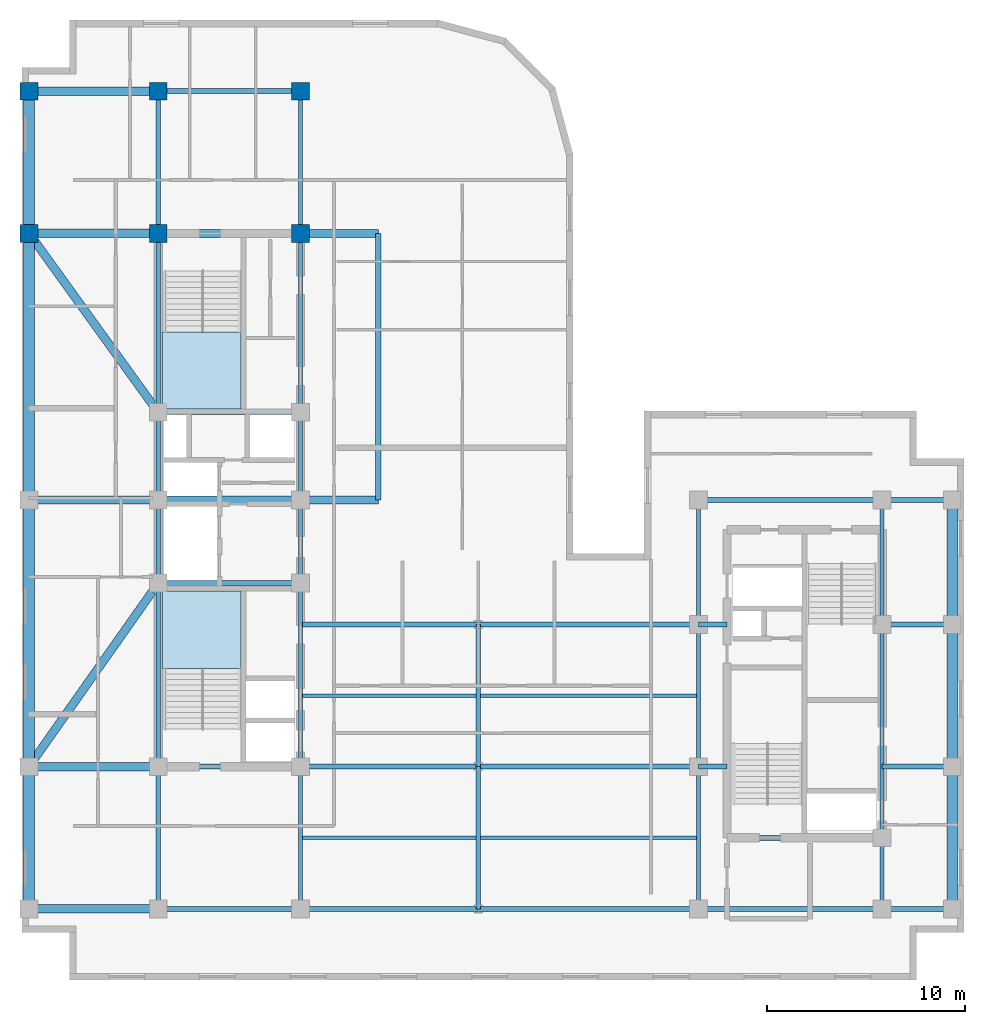
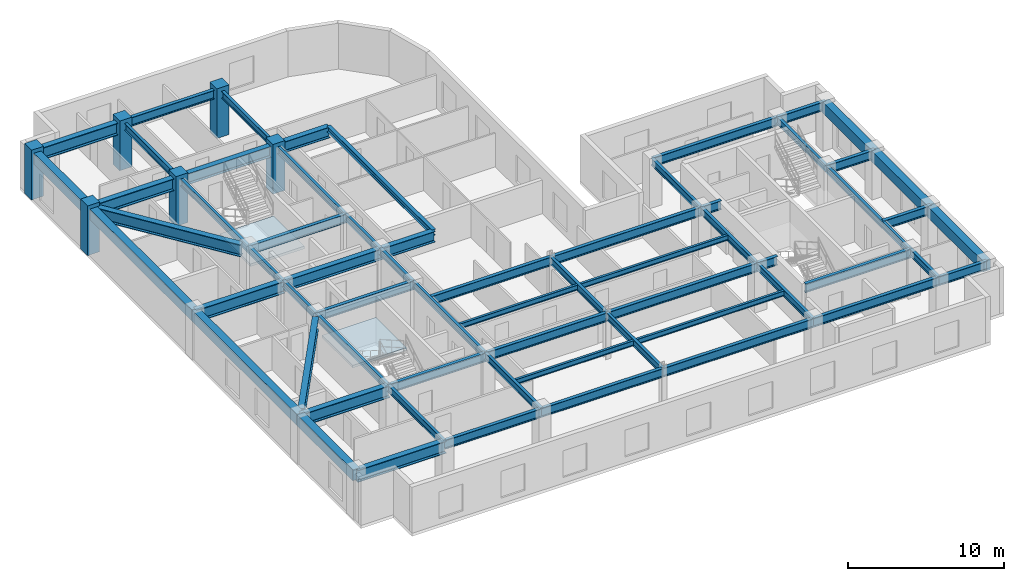
# One storey, part 2 of 10: 61 beams, 6 columns, 2 slabs, 2 elements without a shape of their own.
"""IFC4 building model written with IfcOpenShell, lengths in metres."""

from ifc_helpers import new_model, entity, si_unit, converted_unit, direction, frame, origin_with_axes, origin_2d_with_axis, place, context, subcontext, project, spatial, polyline, rectangle, i_section, outline, extrude, material, layer, layer_set, material_profile, profile_set, type_object, element, aggregate, save


model = new_model("IFC4")

# Units and contexts
model_context = context("Model", 3, precision=1e-05, world=origin_with_axes(), true_north=direction((0.0, 1.0)))
body_context = subcontext(model_context, "Body", "Model", "MODEL_VIEW")
ifc_project = project(units=[si_unit("LENGTHUNIT", "METRE"), si_unit("AREAUNIT", "SQUARE_METRE"), si_unit("VOLUMEUNIT", "CUBIC_METRE"), converted_unit("PLANEANGLEUNIT", "DEGREE", entity("IfcPlaneAngleMeasure", 0.017453292519943295), si_unit("PLANEANGLEUNIT", "RADIAN"), dimensions=[0, 0, 0, 0, 0, 0, 0]), si_unit("MASSUNIT", "GRAM", prefix="KILO"), si_unit("THERMODYNAMICTEMPERATUREUNIT", "KELVIN")], contexts=[model_context])

# Site, building, storey
site_placement = place(None, origin_with_axes())
site = spatial("IfcSite", under=ifc_project, at=site_placement, CompositionType="ELEMENT")
building_placement = place(site_placement, origin_with_axes())
building = spatial("IfcBuilding", under=site, at=building_placement, Name="Varnlund Millrace Tower", CompositionType="ELEMENT")
storey_placement = place(building_placement, frame((0.0, 0.0, 244.2), z_axis=(0.0, 0.0, 1.0), x_axis=(1.0, 0.0, 0.0)))
storey = spatial("IfcBuildingStorey", under=building, at=storey_placement, Name="L60", CompositionType="ELEMENT", Elevation=244.2)

# Columns
ifc_material_1 = material(Name="Concrete C70/85", Category="concrete")
ifc_material_profile_1 = material_profile(ifc_material_1, rectangle(XDim=0.9, YDim=0.9, at=origin_2d_with_axis()), Name="Concrete C70/85")
ifc_profile_set_1 = profile_set([ifc_material_profile_1], Name="Concrete C70/85")
column_type = type_object("IfcColumnType", Name="Type-Col-RC900-C70", PredefinedType="COLUMN", material=ifc_profile_set_1)
for number, where, z_axis, x_axis, name in (
    (1, (11.4, 37.8, 0.0), (0.0, 0.0, 1.0), (1.0, 0.0, 0.0), "Type-Col-RC900-C70"),
    (2, (11.4, 45.0, 0.0), (0.0, 0.0, 1.0), (1.0, 0.0, 0.0), "Type-Col-RC900-C70"),
    (3, (18.6, 37.8, 0.0), (0.0, 0.0, 1.0), (1.0, 0.0, 0.0), "Type-Col-RC900-C70"),
    (4, (18.6, 45.0, 0.0), (0.0, 0.0, 1.0), (1.0, 0.0, 0.0), "Type-Col-RC900-C70"),
    (5, (4.85, 37.8, 0.0), (0.0, 0.0, 1.0), (1.0, 0.0, 0.0), "Type-Col-RC900-C70"),
    (6, (4.85, 45.0, 0.0), (0.0, 0.0, 1.0), (1.0, 0.0, 0.0), "Type-Col-RC900-C70"),
):
    element("IfcColumn", number, at=place(storey_placement, frame(where, z_axis=z_axis, x_axis=x_axis)), inside=storey, type_object=column_type, Name=name, PredefinedType="COLUMN", context=body_context, shape_type="SweptSolid", body=[
        extrude(rectangle(XDim=0.9, YDim=0.9, at=origin_2d_with_axis()), origin_with_axes(), (0.0, 0.0, 1.0), 3.9),
    ])

# Beams
ifc_material_2 = material(Name="Steel ASTM A992 Grade 50", Category="steel")
ifc_material_profile_2 = material_profile(ifc_material_2, i_section(OverallWidth=0.28, OverallDepth=0.463, WebThickness=0.0108, FlangeThickness=0.0173, FilletRadius=0.015, at=origin_2d_with_axis()), Name="Steel ASTM A992 Grade 50")
ifc_profile_set_2 = profile_set([ifc_material_profile_2], Name="Steel ASTM A992 Grade 50")
beam_type_1 = type_object("IfcBeamType", Name="Type-Beam-W18X76", PredefinedType="BEAM", material=ifc_profile_set_2)
beam_1_placement = place(storey_placement, frame((22.55, 24.3, 3.3685), z_axis=(0.0, 1.0, 0.0), x_axis=(-1.0, 0.0, 0.0)))
element("IfcBeam", 7, at=beam_1_placement, inside=storey, type_object=beam_type_1, Name="Type-Beam-W18X76", PredefinedType="BEAM", context=body_context, shape_type="SweptSolid", body=[
    extrude(i_section(OverallWidth=0.28, OverallDepth=0.463, WebThickness=0.0108, FlangeThickness=0.0173, FilletRadius=0.015, at=origin_2d_with_axis()), origin_with_axes(), (0.0, 0.0, 1.0), 13.5),
])
ifc_material_profile_3 = material_profile(ifc_material_2, i_section(OverallWidth=0.214, OverallDepth=0.549, WebThickness=0.0147, FlangeThickness=0.0236, FilletRadius=0.015, at=origin_2d_with_axis()), Name="Steel ASTM A992 Grade 50")
ifc_profile_set_3 = profile_set([ifc_material_profile_3], Name="Steel ASTM A992 Grade 50")
beam_type_2 = type_object("IfcBeamType", Name="Type-Beam-W21X93", PredefinedType="BEAM", material=ifc_profile_set_3)
beam_2_placement = place(storey_placement, frame((11.4, 3.6, 3.3255), z_axis=(0.0, 1.0, 0.0), x_axis=(-1.0, 0.0, 0.0)))
element("IfcBeam", 8, at=beam_2_placement, inside=storey, type_object=beam_type_2, Name="Type-Beam-W21X93", PredefinedType="BEAM", context=body_context, shape_type="SweptSolid", body=[
    extrude(i_section(OverallWidth=0.214, OverallDepth=0.549, WebThickness=0.0147, FlangeThickness=0.0236, FilletRadius=0.015, at=origin_2d_with_axis()), origin_with_axes(), (0.0, 0.0, 1.0), 7.2),
])
beam_3_placement = place(storey_placement, frame((11.4, 10.8, 3.3255), z_axis=(0.0, 1.0, 0.0), x_axis=(-1.0, 0.0, 0.0)))
element("IfcBeam", 9, at=beam_3_placement, inside=storey, type_object=beam_type_2, Name="Type-Beam-W21X93", PredefinedType="BEAM", context=body_context, shape_type="SweptSolid", body=[
    extrude(i_section(OverallWidth=0.214, OverallDepth=0.549, WebThickness=0.0147, FlangeThickness=0.0236, FilletRadius=0.015, at=origin_2d_with_axis()), origin_with_axes(), (0.0, 0.0, 1.0), 9.3),
])
beam_4_placement = place(storey_placement, frame((11.4, 20.1, 3.3255), z_axis=(0.0, 1.0, 0.0), x_axis=(-1.0, 0.0, 0.0)))
element("IfcBeam", 10, at=beam_4_placement, inside=storey, type_object=beam_type_2, Name="Type-Beam-W21X93", PredefinedType="BEAM", context=body_context, shape_type="SweptSolid", body=[
    extrude(i_section(OverallWidth=0.214, OverallDepth=0.549, WebThickness=0.0147, FlangeThickness=0.0236, FilletRadius=0.015, at=origin_2d_with_axis()), origin_with_axes(), (0.0, 0.0, 1.0), 4.2),
])
beam_5_placement = place(storey_placement, frame((11.4, 24.3, 3.3255), z_axis=(0.0, 1.0, 0.0), x_axis=(-1.0, 0.0, 0.0)))
element("IfcBeam", 11, at=beam_5_placement, inside=storey, type_object=beam_type_2, Name="Type-Beam-W21X93", PredefinedType="BEAM", context=body_context, shape_type="SweptSolid", body=[
    extrude(i_section(OverallWidth=0.214, OverallDepth=0.549, WebThickness=0.0147, FlangeThickness=0.0236, FilletRadius=0.015, at=origin_2d_with_axis()), origin_with_axes(), (0.0, 0.0, 1.0), 4.45),
])
beam_6_placement = place(storey_placement, frame((11.4, 28.75, 3.3255), z_axis=(0.0, 1.0, 0.0), x_axis=(-1.0, 0.0, 0.0)))
element("IfcBeam", 12, at=beam_6_placement, inside=storey, type_object=beam_type_2, Name="Type-Beam-W21X93", PredefinedType="BEAM", context=body_context, shape_type="SweptSolid", body=[
    extrude(i_section(OverallWidth=0.214, OverallDepth=0.549, WebThickness=0.0147, FlangeThickness=0.0236, FilletRadius=0.015, at=origin_2d_with_axis()), origin_with_axes(), (0.0, 0.0, 1.0), 9.05),
])
for number, where, z_axis, x_axis, name in (
    (13, (11.4, 37.8, 3.3255), (0.0, 1.0, 0.0), (-1.0, 0.0, 0.0), "Type-Beam-W21X93"),
    (14, (18.6, 3.6, 3.3255), (0.0, 1.0, 0.0), (-1.0, 0.0, 0.0), "Type-Beam-W21X93"),
):
    element("IfcBeam", number, at=place(storey_placement, frame(where, z_axis=z_axis, x_axis=x_axis)), inside=storey, type_object=beam_type_2, Name=name, PredefinedType="BEAM", context=body_context, shape_type="SweptSolid", body=[
        extrude(i_section(OverallWidth=0.214, OverallDepth=0.549, WebThickness=0.0147, FlangeThickness=0.0236, FilletRadius=0.015, at=origin_2d_with_axis()), origin_with_axes(), (0.0, 0.0, 1.0), 7.2),
    ])
beam_7_placement = place(storey_placement, frame((18.6, 10.8, 3.3255), z_axis=(0.0, 1.0, 0.0), x_axis=(-1.0, 0.0, 0.0)))
element("IfcBeam", 15, at=beam_7_placement, inside=storey, type_object=beam_type_2, Name="Type-Beam-W21X93", PredefinedType="BEAM", context=body_context, shape_type="SweptSolid", body=[
    extrude(i_section(OverallWidth=0.214, OverallDepth=0.549, WebThickness=0.0147, FlangeThickness=0.0236, FilletRadius=0.015, at=origin_2d_with_axis()), origin_with_axes(), (0.0, 0.0, 1.0), 9.3),
])
beam_8_placement = place(storey_placement, frame((18.6, 20.1, 3.3255), z_axis=(0.0, 1.0, 0.0), x_axis=(-1.0, 0.0, 0.0)))
element("IfcBeam", 16, at=beam_8_placement, inside=storey, type_object=beam_type_2, Name="Type-Beam-W21X93", PredefinedType="BEAM", context=body_context, shape_type="SweptSolid", body=[
    extrude(i_section(OverallWidth=0.214, OverallDepth=0.549, WebThickness=0.0147, FlangeThickness=0.0236, FilletRadius=0.015, at=origin_2d_with_axis()), origin_with_axes(), (0.0, 0.0, 1.0), 4.2),
])
beam_9_placement = place(storey_placement, frame((18.6, 24.3, 3.3255), z_axis=(0.0, 1.0, 0.0), x_axis=(-1.0, 0.0, 0.0)))
element("IfcBeam", 17, at=beam_9_placement, inside=storey, type_object=beam_type_2, Name="Type-Beam-W21X93", PredefinedType="BEAM", context=body_context, shape_type="SweptSolid", body=[
    extrude(i_section(OverallWidth=0.214, OverallDepth=0.549, WebThickness=0.0147, FlangeThickness=0.0236, FilletRadius=0.015, at=origin_2d_with_axis()), origin_with_axes(), (0.0, 0.0, 1.0), 4.45),
])
beam_10_placement = place(storey_placement, frame((18.6, 28.75, 3.3255), z_axis=(0.0, 1.0, 0.0), x_axis=(-1.0, 0.0, 0.0)))
element("IfcBeam", 18, at=beam_10_placement, inside=storey, type_object=beam_type_2, Name="Type-Beam-W21X93", PredefinedType="BEAM", context=body_context, shape_type="SweptSolid", body=[
    extrude(i_section(OverallWidth=0.214, OverallDepth=0.549, WebThickness=0.0147, FlangeThickness=0.0236, FilletRadius=0.015, at=origin_2d_with_axis()), origin_with_axes(), (0.0, 0.0, 1.0), 9.05),
])
for number, where, z_axis, x_axis, name in (
    (19, (18.6, 37.8, 3.3255), (0.0, 1.0, 0.0), (-1.0, 0.0, 0.0), "Type-Beam-W21X93"),
    (20, (27.6, 3.6, 3.3255), (0.0, 1.0, 0.0), (-1.0, 0.0, 0.0), "Type-Beam-W21X93"),
    (21, (27.6, 10.8, 3.3255), (0.0, 1.0, 0.0), (-1.0, 0.0, 0.0), "Type-Beam-W21X93"),
    (22, (38.75, 3.6, 3.3255), (0.0, 1.0, 0.0), (-1.0, 0.0, 0.0), "Type-Beam-W21X93"),
    (23, (38.75, 10.8, 3.3255), (0.0, 1.0, 0.0), (-1.0, 0.0, 0.0), "Type-Beam-W21X93"),
):
    element("IfcBeam", number, at=place(storey_placement, frame(where, z_axis=z_axis, x_axis=x_axis)), inside=storey, type_object=beam_type_2, Name=name, PredefinedType="BEAM", context=body_context, shape_type="SweptSolid", body=[
        extrude(i_section(OverallWidth=0.214, OverallDepth=0.549, WebThickness=0.0147, FlangeThickness=0.0236, FilletRadius=0.015, at=origin_2d_with_axis()), origin_with_axes(), (0.0, 0.0, 1.0), 7.2),
    ])
beam_11_placement = place(storey_placement, frame((38.75, 18.0, 3.3255), z_axis=(0.0, 1.0, 0.0), x_axis=(-1.0, 0.0, 0.0)))
element("IfcBeam", 24, at=beam_11_placement, inside=storey, type_object=beam_type_2, Name="Type-Beam-W21X93", PredefinedType="BEAM", context=body_context, shape_type="SweptSolid", body=[
    extrude(i_section(OverallWidth=0.214, OverallDepth=0.549, WebThickness=0.0147, FlangeThickness=0.0236, FilletRadius=0.015, at=origin_2d_with_axis()), origin_with_axes(), (0.0, 0.0, 1.0), 6.3),
])
beam_12_placement = place(storey_placement, frame((48.05, 3.6, 3.3255), z_axis=(0.0, 1.0, 0.0), x_axis=(-1.0, 0.0, 0.0)))
element("IfcBeam", 25, at=beam_12_placement, inside=storey, type_object=beam_type_2, Name="Type-Beam-W21X93", PredefinedType="BEAM", context=body_context, shape_type="SweptSolid", body=[
    extrude(i_section(OverallWidth=0.214, OverallDepth=0.549, WebThickness=0.0147, FlangeThickness=0.0236, FilletRadius=0.015, at=origin_2d_with_axis()), origin_with_axes(), (0.0, 0.0, 1.0), 3.6),
])
beam_13_placement = place(storey_placement, frame((48.05, 7.2, 3.3255), z_axis=(0.0, 1.0, 0.0), x_axis=(-1.0, 0.0, 0.0)))
element("IfcBeam", 26, at=beam_13_placement, inside=storey, type_object=beam_type_2, Name="Type-Beam-W21X93", PredefinedType="BEAM", context=body_context, shape_type="SweptSolid", body=[
    extrude(i_section(OverallWidth=0.214, OverallDepth=0.549, WebThickness=0.0147, FlangeThickness=0.0236, FilletRadius=0.015, at=origin_2d_with_axis()), origin_with_axes(), (0.0, 0.0, 1.0), 10.8),
])
beam_14_placement = place(storey_placement, frame((48.05, 18.0, 3.3255), z_axis=(0.0, 1.0, 0.0), x_axis=(-1.0, 0.0, 0.0)))
element("IfcBeam", 27, at=beam_14_placement, inside=storey, type_object=beam_type_2, Name="Type-Beam-W21X93", PredefinedType="BEAM", context=body_context, shape_type="SweptSolid", body=[
    extrude(i_section(OverallWidth=0.214, OverallDepth=0.549, WebThickness=0.0147, FlangeThickness=0.0236, FilletRadius=0.015, at=origin_2d_with_axis()), origin_with_axes(), (0.0, 0.0, 1.0), 6.3),
])
ifc_material_profile_4 = material_profile(ifc_material_2, i_section(OverallWidth=0.256, OverallDepth=0.693, WebThickness=0.0145, FlangeThickness=0.0236, FilletRadius=0.018, at=origin_2d_with_axis()), Name="Steel ASTM A992 Grade 50")
ifc_profile_set_4 = profile_set([ifc_material_profile_4], Name="Steel ASTM A992 Grade 50")
beam_type_3 = type_object("IfcBeamType", Name="Type-Girder-W27X114", PredefinedType="USERDEFINED", material=ifc_profile_set_4)
beam_15_placement = place(storey_placement, frame((11.4, 3.6, 3.2535), z_axis=(1.0, 0.0, 0.0), x_axis=(0.0, 1.0, 0.0)))
element("IfcBeam", 28, at=beam_15_placement, inside=storey, type_object=beam_type_3, Name="Type-Girder-W27X114", ObjectType="GIRDER", PredefinedType="USERDEFINED", context=body_context, shape_type="SweptSolid", body=[
    extrude(i_section(OverallWidth=0.256, OverallDepth=0.693, WebThickness=0.0145, FlangeThickness=0.0236, FilletRadius=0.018, at=origin_2d_with_axis()), origin_with_axes(), (0.0, 0.0, 1.0), 7.2),
])
beam_16_placement = place(storey_placement, frame((18.6, 3.6, 3.2535), z_axis=(1.0, 0.0, 0.0), x_axis=(0.0, 1.0, 0.0)))
element("IfcBeam", 29, at=beam_16_placement, inside=storey, type_object=beam_type_3, Name="Type-Girder-W27X114", ObjectType="GIRDER", PredefinedType="USERDEFINED", context=body_context, shape_type="SweptSolid", body=[
    extrude(i_section(OverallWidth=0.256, OverallDepth=0.693, WebThickness=0.0145, FlangeThickness=0.0236, FilletRadius=0.018, at=origin_2d_with_axis()), origin_with_axes(), (0.0, 0.0, 1.0), 9.0),
])
beam_17_placement = place(storey_placement, frame((27.6, 3.6, 3.2535), z_axis=(1.0, 0.0, 0.0), x_axis=(0.0, 1.0, 0.0)))
element("IfcBeam", 30, at=beam_17_placement, inside=storey, type_object=beam_type_3, Name="Type-Girder-W27X114", ObjectType="GIRDER", PredefinedType="USERDEFINED", context=body_context, shape_type="SweptSolid", body=[
    extrude(i_section(OverallWidth=0.256, OverallDepth=0.693, WebThickness=0.0145, FlangeThickness=0.0236, FilletRadius=0.018, at=origin_2d_with_axis()), origin_with_axes(), (0.0, 0.0, 1.0), 11.15),
])
beam_18_placement = place(storey_placement, frame((38.75, 3.6, 3.2535), z_axis=(1.0, 0.0, 0.0), x_axis=(0.0, 1.0, 0.0)))
element("IfcBeam", 31, at=beam_18_placement, inside=storey, type_object=beam_type_3, Name="Type-Girder-W27X114", ObjectType="GIRDER", PredefinedType="USERDEFINED", context=body_context, shape_type="SweptSolid", body=[
    extrude(i_section(OverallWidth=0.256, OverallDepth=0.693, WebThickness=0.0145, FlangeThickness=0.0236, FilletRadius=0.018, at=origin_2d_with_axis()), origin_with_axes(), (0.0, 0.0, 1.0), 9.3),
])
beam_19_placement = place(storey_placement, frame((48.05, 3.6, 3.2535), z_axis=(1.0, 0.0, 0.0), x_axis=(0.0, 1.0, 0.0)))
element("IfcBeam", 32, at=beam_19_placement, inside=storey, type_object=beam_type_3, Name="Type-Girder-W27X114", ObjectType="GIRDER", PredefinedType="USERDEFINED", context=body_context, shape_type="SweptSolid", body=[
    extrude(i_section(OverallWidth=0.256, OverallDepth=0.693, WebThickness=0.0145, FlangeThickness=0.0236, FilletRadius=0.018, at=origin_2d_with_axis()), origin_with_axes(), (0.0, 0.0, 1.0), 3.55),
])
beam_20_placement = place(storey_placement, frame((40.2, 7.2, 3.2535), z_axis=(1.0, 0.0, 0.0), x_axis=(0.0, 1.0, 0.0)))
element("IfcBeam", 33, at=beam_20_placement, inside=storey, type_object=beam_type_3, Name="Type-Girder-W27X114", ObjectType="GIRDER", PredefinedType="USERDEFINED", context=body_context, shape_type="SweptSolid", body=[
    extrude(i_section(OverallWidth=0.256, OverallDepth=0.693, WebThickness=0.0145, FlangeThickness=0.0236, FilletRadius=0.018, at=origin_2d_with_axis()), origin_with_axes(), (0.0, 0.0, 1.0), 7.85),
])
beam_21_placement = place(storey_placement, frame((11.4, 10.8, 3.2535), z_axis=(1.0, 0.0, 0.0), x_axis=(0.0, 1.0, 0.0)))
element("IfcBeam", 34, at=beam_21_placement, inside=storey, type_object=beam_type_3, Name="Type-Girder-W27X114", ObjectType="GIRDER", PredefinedType="USERDEFINED", context=body_context, shape_type="SweptSolid", body=[
    extrude(i_section(OverallWidth=0.256, OverallDepth=0.693, WebThickness=0.0145, FlangeThickness=0.0236, FilletRadius=0.018, at=origin_2d_with_axis()), origin_with_axes(), (0.0, 0.0, 1.0), 7.2),
])
beam_22_placement = place(storey_placement, frame((18.6, 10.8, 3.2535), z_axis=(1.0, 0.0, 0.0), x_axis=(0.0, 1.0, 0.0)))
element("IfcBeam", 35, at=beam_22_placement, inside=storey, type_object=beam_type_3, Name="Type-Girder-W27X114", ObjectType="GIRDER", PredefinedType="USERDEFINED", context=body_context, shape_type="SweptSolid", body=[
    extrude(i_section(OverallWidth=0.256, OverallDepth=0.693, WebThickness=0.0145, FlangeThickness=0.0236, FilletRadius=0.018, at=origin_2d_with_axis()), origin_with_axes(), (0.0, 0.0, 1.0), 9.0),
])
beam_23_placement = place(storey_placement, frame((27.6, 10.8, 3.2535), z_axis=(1.0, 0.0, 0.0), x_axis=(0.0, 1.0, 0.0)))
element("IfcBeam", 36, at=beam_23_placement, inside=storey, type_object=beam_type_3, Name="Type-Girder-W27X114", ObjectType="GIRDER", PredefinedType="USERDEFINED", context=body_context, shape_type="SweptSolid", body=[
    extrude(i_section(OverallWidth=0.256, OverallDepth=0.693, WebThickness=0.0145, FlangeThickness=0.0236, FilletRadius=0.018, at=origin_2d_with_axis()), origin_with_axes(), (0.0, 0.0, 1.0), 11.15),
])
beam_24_placement = place(storey_placement, frame((38.75, 10.8, 3.2535), z_axis=(1.0, 0.0, 0.0), x_axis=(0.0, 1.0, 0.0)))
element("IfcBeam", 37, at=beam_24_placement, inside=storey, type_object=beam_type_3, Name="Type-Girder-W27X114", ObjectType="GIRDER", PredefinedType="USERDEFINED", context=body_context, shape_type="SweptSolid", body=[
    extrude(i_section(OverallWidth=0.256, OverallDepth=0.693, WebThickness=0.0145, FlangeThickness=0.0236, FilletRadius=0.018, at=origin_2d_with_axis()), origin_with_axes(), (0.0, 0.0, 1.0), 1.45),
])
beam_25_placement = place(storey_placement, frame((48.05, 10.8, 3.2535), z_axis=(1.0, 0.0, 0.0), x_axis=(0.0, 1.0, 0.0)))
element("IfcBeam", 38, at=beam_25_placement, inside=storey, type_object=beam_type_3, Name="Type-Girder-W27X114", ObjectType="GIRDER", PredefinedType="USERDEFINED", context=body_context, shape_type="SweptSolid", body=[
    extrude(i_section(OverallWidth=0.256, OverallDepth=0.693, WebThickness=0.0145, FlangeThickness=0.0236, FilletRadius=0.018, at=origin_2d_with_axis()), origin_with_axes(), (0.0, 0.0, 1.0), 3.55),
])
beam_26_placement = place(storey_placement, frame((18.6, 18.0, 3.2535), z_axis=(1.0, 0.0, 0.0), x_axis=(0.0, 1.0, 0.0)))
element("IfcBeam", 39, at=beam_26_placement, inside=storey, type_object=beam_type_3, Name="Type-Girder-W27X114", ObjectType="GIRDER", PredefinedType="USERDEFINED", context=body_context, shape_type="SweptSolid", body=[
    extrude(i_section(OverallWidth=0.256, OverallDepth=0.693, WebThickness=0.0145, FlangeThickness=0.0236, FilletRadius=0.018, at=origin_2d_with_axis()), origin_with_axes(), (0.0, 0.0, 1.0), 9.0),
])
beam_27_placement = place(storey_placement, frame((27.6, 18.0, 3.2535), z_axis=(1.0, 0.0, 0.0), x_axis=(0.0, 1.0, 0.0)))
element("IfcBeam", 40, at=beam_27_placement, inside=storey, type_object=beam_type_3, Name="Type-Girder-W27X114", ObjectType="GIRDER", PredefinedType="USERDEFINED", context=body_context, shape_type="SweptSolid", body=[
    extrude(i_section(OverallWidth=0.256, OverallDepth=0.693, WebThickness=0.0145, FlangeThickness=0.0236, FilletRadius=0.018, at=origin_2d_with_axis()), origin_with_axes(), (0.0, 0.0, 1.0), 11.15),
])
beam_28_placement = place(storey_placement, frame((38.75, 18.0, 3.2535), z_axis=(1.0, 0.0, 0.0), x_axis=(0.0, 1.0, 0.0)))
element("IfcBeam", 41, at=beam_28_placement, inside=storey, type_object=beam_type_3, Name="Type-Girder-W27X114", ObjectType="GIRDER", PredefinedType="USERDEFINED", context=body_context, shape_type="SweptSolid", body=[
    extrude(i_section(OverallWidth=0.256, OverallDepth=0.693, WebThickness=0.0145, FlangeThickness=0.0236, FilletRadius=0.018, at=origin_2d_with_axis()), origin_with_axes(), (0.0, 0.0, 1.0), 1.45),
])
beam_29_placement = place(storey_placement, frame((48.05, 18.0, 3.2535), z_axis=(1.0, 0.0, 0.0), x_axis=(0.0, 1.0, 0.0)))
element("IfcBeam", 42, at=beam_29_placement, inside=storey, type_object=beam_type_3, Name="Type-Girder-W27X114", ObjectType="GIRDER", PredefinedType="USERDEFINED", context=body_context, shape_type="SweptSolid", body=[
    extrude(i_section(OverallWidth=0.256, OverallDepth=0.693, WebThickness=0.0145, FlangeThickness=0.0236, FilletRadius=0.018, at=origin_2d_with_axis()), origin_with_axes(), (0.0, 0.0, 1.0), 3.55),
])
beam_30_placement = place(storey_placement, frame((11.4, 20.1, 3.2535), z_axis=(1.0, 0.0, 0.0), x_axis=(0.0, 1.0, 0.0)))
element("IfcBeam", 43, at=beam_30_placement, inside=storey, type_object=beam_type_3, Name="Type-Girder-W27X114", ObjectType="GIRDER", PredefinedType="USERDEFINED", context=body_context, shape_type="SweptSolid", body=[
    extrude(i_section(OverallWidth=0.256, OverallDepth=0.693, WebThickness=0.0145, FlangeThickness=0.0236, FilletRadius=0.018, at=origin_2d_with_axis()), origin_with_axes(), (0.0, 0.0, 1.0), 7.2),
])
beam_31_placement = place(storey_placement, frame((38.75, 24.3, 3.2535), z_axis=(1.0, 0.0, 0.0), x_axis=(0.0, 1.0, 0.0)))
element("IfcBeam", 44, at=beam_31_placement, inside=storey, type_object=beam_type_3, Name="Type-Girder-W27X114", ObjectType="GIRDER", PredefinedType="USERDEFINED", context=body_context, shape_type="SweptSolid", body=[
    extrude(i_section(OverallWidth=0.256, OverallDepth=0.693, WebThickness=0.0145, FlangeThickness=0.0236, FilletRadius=0.018, at=origin_2d_with_axis()), origin_with_axes(), (0.0, 0.0, 1.0), 9.3),
])
beam_32_placement = place(storey_placement, frame((48.05, 24.3, 3.2535), z_axis=(1.0, 0.0, 0.0), x_axis=(0.0, 1.0, 0.0)))
element("IfcBeam", 45, at=beam_32_placement, inside=storey, type_object=beam_type_3, Name="Type-Girder-W27X114", ObjectType="GIRDER", PredefinedType="USERDEFINED", context=body_context, shape_type="SweptSolid", body=[
    extrude(i_section(OverallWidth=0.256, OverallDepth=0.693, WebThickness=0.0145, FlangeThickness=0.0236, FilletRadius=0.018, at=origin_2d_with_axis()), origin_with_axes(), (0.0, 0.0, 1.0), 3.55),
])
for number, where, z_axis, x_axis, name in (
    (46, (11.4, 28.75, 3.2535), (1.0, 0.0, 0.0), (0.0, 1.0, 0.0), "Type-Girder-W27X114"),
    (47, (11.4, 45.0, 3.2535), (1.0, 0.0, 0.0), (0.0, 1.0, 0.0), "Type-Girder-W27X114"),
):
    element("IfcBeam", number, at=place(storey_placement, frame(where, z_axis=z_axis, x_axis=x_axis)), inside=storey, type_object=beam_type_3, Name=name, ObjectType="GIRDER", PredefinedType="USERDEFINED", context=body_context, shape_type="SweptSolid", body=[
        extrude(i_section(OverallWidth=0.256, OverallDepth=0.693, WebThickness=0.0145, FlangeThickness=0.0236, FilletRadius=0.018, at=origin_2d_with_axis()), origin_with_axes(), (0.0, 0.0, 1.0), 7.2),
    ])
ifc_material_profile_5 = material_profile(ifc_material_2, i_section(OverallWidth=0.399, OverallDepth=0.855, WebThickness=0.0182, FlangeThickness=0.0292, FilletRadius=0.022, at=origin_2d_with_axis()), Name="Steel ASTM A992 Grade 50")
ifc_profile_set_5 = profile_set([ifc_material_profile_5], Name="Steel ASTM A992 Grade 50")
beam_type_4 = type_object("IfcBeamType", Name="Type-Girder-W33X201", PredefinedType="USERDEFINED", material=ifc_profile_set_5)
for number, where, z_axis, x_axis, name in (
    (48, (11.4, 24.3, 3.1725), (1.0, 0.0, 0.0), (0.0, 1.0, 0.0), "Type-Girder-W33X201"),
    (49, (11.4, 37.8, 3.1725), (1.0, 0.0, 0.0), (0.0, 1.0, 0.0), "Type-Girder-W33X201"),
):
    element("IfcBeam", number, at=place(storey_placement, frame(where, z_axis=z_axis, x_axis=x_axis)), inside=storey, type_object=beam_type_4, Name=name, ObjectType="GIRDER", PredefinedType="USERDEFINED", context=body_context, shape_type="SweptSolid", body=[
        extrude(i_section(OverallWidth=0.399, OverallDepth=0.855, WebThickness=0.0182, FlangeThickness=0.0292, FilletRadius=0.022, at=origin_2d_with_axis()), origin_with_axes(), (0.0, 0.0, 1.0), 11.15),
    ])
ifc_material_3 = material(Name="Steel ASTM A913 Grade 65", Category="steel")
ifc_material_profile_6 = material_profile(ifc_material_3, i_section(OverallWidth=0.423, OverallDepth=0.948, WebThickness=0.024, FlangeThickness=0.0427, FilletRadius=0.025, at=origin_2d_with_axis()), Name="Steel ASTM A913 Grade 65")
ifc_profile_set_6 = profile_set([ifc_material_profile_6], Name="Steel ASTM A913 Grade 65")
beam_type_5 = type_object("IfcBeamType", Name="Type-Girder-W36X302", PredefinedType="USERDEFINED", material=ifc_profile_set_6)
for number, where, z_axis, x_axis, name in (
    (50, (4.85, 3.6, 3.126), (1.0, 0.0, 0.0), (0.0, 1.0, 0.0), "Type-Girder-W36X302"),
    (51, (4.85, 10.8, 3.126), (1.0, 0.0, 0.0), (0.0, 1.0, 0.0), "Type-Girder-W36X302"),
    (52, (4.85, 24.3, 3.126), (1.0, 0.0, 0.0), (0.0, 1.0, 0.0), "Type-Girder-W36X302"),
    (53, (4.85, 37.8, 3.126), (1.0, 0.0, 0.0), (0.0, 1.0, 0.0), "Type-Girder-W36X302"),
    (54, (4.85, 45.0, 3.126), (1.0, 0.0, 0.0), (0.0, 1.0, 0.0), "Type-Girder-W36X302"),
):
    element("IfcBeam", number, at=place(storey_placement, frame(where, z_axis=z_axis, x_axis=x_axis)), inside=storey, type_object=beam_type_5, Name=name, ObjectType="GIRDER", PredefinedType="USERDEFINED", context=body_context, shape_type="SweptSolid", body=[
        extrude(i_section(OverallWidth=0.423, OverallDepth=0.948, WebThickness=0.024, FlangeThickness=0.0427, FilletRadius=0.025, at=origin_2d_with_axis()), origin_with_axes(), (0.0, 0.0, 1.0), 6.55),
    ])
beam_33_placement = place(storey_placement, frame((5.15, 11.23, 3.126), z_axis=(0.576189, 0.817317, 0.0), x_axis=(-0.817317, 0.576189, 0.0)))
element("IfcBeam", 55, at=beam_33_placement, inside=storey, type_object=beam_type_5, Name="Type-Girder-W36X302", ObjectType="GIRDER", PredefinedType="USERDEFINED", context=body_context, shape_type="SweptSolid", body=[
    extrude(i_section(OverallWidth=0.423, OverallDepth=0.948, WebThickness=0.024, FlangeThickness=0.0427, FilletRadius=0.025, at=origin_2d_with_axis()), origin_with_axes(), (0.0, 0.0, 1.0), 10.326476),
])
beam_34_placement = place(storey_placement, frame((5.15, 37.4, 3.126), z_axis=(0.584952, -0.811068, 0.0), x_axis=(0.811068, 0.584952, 0.0)))
element("IfcBeam", 56, at=beam_34_placement, inside=storey, type_object=beam_type_5, Name="Type-Girder-W36X302", ObjectType="GIRDER", PredefinedType="USERDEFINED", context=body_context, shape_type="SweptSolid", body=[
    extrude(i_section(OverallWidth=0.423, OverallDepth=0.948, WebThickness=0.024, FlangeThickness=0.0427, FilletRadius=0.025, at=origin_2d_with_axis()), origin_with_axes(), (0.0, 0.0, 1.0), 10.171775),
])
ifc_material_profile_7 = material_profile(ifc_material_2, i_section(OverallWidth=0.178, OverallDepth=0.403, WebThickness=0.0075, FlangeThickness=0.0109, FilletRadius=0.011, at=origin_2d_with_axis()), Name="Steel ASTM A992 Grade 50")
ifc_profile_set_7 = profile_set([ifc_material_profile_7], Name="Steel ASTM A992 Grade 50")
beam_type_6 = type_object("IfcBeamType", Name="Type-Joist-W16X36", PredefinedType="JOIST", material=ifc_profile_set_7)
for number, where, z_axis, x_axis, name in (
    (57, (18.707, 7.2, 3.3985), (1.0, 0.0, 0.0), (0.0, 1.0, 0.0), "Type-Joist-W16X36"),
    (58, (18.707, 14.4, 3.3985), (1.0, 0.0, 0.0), (0.0, 1.0, 0.0), "Type-Joist-W16X36"),
):
    element("IfcBeam", number, at=place(storey_placement, frame(where, z_axis=z_axis, x_axis=x_axis)), inside=storey, type_object=beam_type_6, Name=name, PredefinedType="JOIST", context=body_context, shape_type="SweptSolid", body=[
        extrude(i_section(OverallWidth=0.178, OverallDepth=0.403, WebThickness=0.0075, FlangeThickness=0.0109, FilletRadius=0.011, at=origin_2d_with_axis()), origin_with_axes(), (0.0, 0.0, 1.0), 8.786),
    ])
for number, where, z_axis, x_axis, name in (
    (59, (27.707, 7.2, 3.3985), (1.0, 0.0, 0.0), (0.0, 1.0, 0.0), "Type-Joist-W16X36"),
    (60, (27.707, 14.4, 3.3985), (1.0, 0.0, 0.0), (0.0, 1.0, 0.0), "Type-Joist-W16X36"),
):
    element("IfcBeam", number, at=place(storey_placement, frame(where, z_axis=z_axis, x_axis=x_axis)), inside=storey, type_object=beam_type_6, Name=name, PredefinedType="JOIST", context=body_context, shape_type="SweptSolid", body=[
        extrude(i_section(OverallWidth=0.178, OverallDepth=0.403, WebThickness=0.0075, FlangeThickness=0.0109, FilletRadius=0.011, at=origin_2d_with_axis()), origin_with_axes(), (0.0, 0.0, 1.0), 10.936),
    ])
ifc_material_4 = material(Name="Concrete C60/75", Category="concrete")
ifc_material_profile_8 = material_profile(ifc_material_4, rectangle(XDim=0.55, YDim=0.85, at=origin_2d_with_axis()), Name="Concrete C60/75")
ifc_profile_set_8 = profile_set([ifc_material_profile_8], Name="Concrete C60/75")
beam_type_7 = type_object("IfcBeamType", Name="Type-Spandrel-RC550X850", PredefinedType="SPANDREL", material=ifc_profile_set_8)
beam_35_placement = place(storey_placement, frame((4.85, 3.6, 3.175), z_axis=(0.0, 1.0, 0.0), x_axis=(-1.0, 0.0, 0.0)))
element("IfcBeam", 61, at=beam_35_placement, inside=storey, type_object=beam_type_7, Name="Type-Spandrel-RC550X850", PredefinedType="SPANDREL", context=body_context, shape_type="SweptSolid", body=[
    extrude(rectangle(XDim=0.55, YDim=0.85, at=origin_2d_with_axis()), origin_with_axes(), (0.0, 0.0, 1.0), 7.2),
])
for number, where, z_axis, x_axis, name in (
    (62, (4.85, 10.8, 3.175), (0.0, 1.0, 0.0), (-1.0, 0.0, 0.0), "Type-Spandrel-RC550X850"),
    (63, (4.85, 24.3, 3.175), (0.0, 1.0, 0.0), (-1.0, 0.0, 0.0), "Type-Spandrel-RC550X850"),
):
    element("IfcBeam", number, at=place(storey_placement, frame(where, z_axis=z_axis, x_axis=x_axis)), inside=storey, type_object=beam_type_7, Name=name, PredefinedType="SPANDREL", context=body_context, shape_type="SweptSolid", body=[
        extrude(rectangle(XDim=0.55, YDim=0.85, at=origin_2d_with_axis()), origin_with_axes(), (0.0, 0.0, 1.0), 13.5),
    ])
for number, where, z_axis, x_axis, name in (
    (64, (4.85, 37.8, 3.175), (0.0, 1.0, 0.0), (-1.0, 0.0, 0.0), "Type-Spandrel-RC550X850"),
    (65, (51.6, 3.6, 3.175), (0.0, 1.0, 0.0), (-1.0, 0.0, 0.0), "Type-Spandrel-RC550X850"),
    (66, (51.6, 10.8, 3.175), (0.0, 1.0, 0.0), (-1.0, 0.0, 0.0), "Type-Spandrel-RC550X850"),
):
    element("IfcBeam", number, at=place(storey_placement, frame(where, z_axis=z_axis, x_axis=x_axis)), inside=storey, type_object=beam_type_7, Name=name, PredefinedType="SPANDREL", context=body_context, shape_type="SweptSolid", body=[
        extrude(rectangle(XDim=0.55, YDim=0.85, at=origin_2d_with_axis()), origin_with_axes(), (0.0, 0.0, 1.0), 7.2),
    ])
beam_36_placement = place(storey_placement, frame((51.6, 18.0, 3.175), z_axis=(0.0, 1.0, 0.0), x_axis=(-1.0, 0.0, 0.0)))
element("IfcBeam", 67, at=beam_36_placement, inside=storey, type_object=beam_type_7, Name="Type-Spandrel-RC550X850", PredefinedType="SPANDREL", context=body_context, shape_type="SweptSolid", body=[
    extrude(rectangle(XDim=0.55, YDim=0.85, at=origin_2d_with_axis()), origin_with_axes(), (0.0, 0.0, 1.0), 6.3),
])

# Stair, slab
ifc_material_5 = material(Name="Concrete C50/60", Category="concrete")
stair_type = type_object("IfcStairType", Name="Type-Stair-Dogleg-185-390", PredefinedType="HALF_TURN_STAIR", material=ifc_material_5)
stair_1_placement = place(storey_placement, origin_with_axes())
stair_1 = element("IfcStair", 68, at=stair_1_placement, inside=storey, type_object=stair_type, Name="Type-Stair-Dogleg-185-390", PredefinedType="HALF_TURN_STAIR")
ifc_layer = layer(ifc_material_5, 0.2, Name="Concrete C50/60")
ifc_layer_set = layer_set([ifc_layer], Name="Concrete C50/60")
slab_type = type_object("IfcSlabType", Name="Type-StairLanding-200", PredefinedType="LANDING", material=ifc_layer_set)
slab_1_placement = place(storey_placement, frame((0.0, 0.0, 1.75), z_axis=(0.0, 0.0, 1.0), x_axis=(1.0, 0.0, 0.0)))
slab_1 = element("IfcSlab", 69, at=slab_1_placement, type_object=slab_type, Name="ST-A1 landing 1", PredefinedType="LANDING", context=body_context, shape_type="SweptSolid", body=[
    extrude(outline(polyline([(15.6, 15.78), (15.6, 19.7), (11.61, 19.7), (11.61, 15.78), (15.6, 15.78)])), origin_with_axes(), (0.0, 0.0, 1.0), 0.2),
])
aggregate(stair_1, [slab_1])

stair_2_placement = place(storey_placement, origin_with_axes())
stair_2 = element("IfcStair", 70, at=stair_2_placement, inside=storey, type_object=stair_type, Name="Type-Stair-Dogleg-185-390", PredefinedType="HALF_TURN_STAIR")
slab_2_placement = place(storey_placement, frame((0.0, 0.0, 1.75), z_axis=(0.0, 0.0, 1.0), x_axis=(1.0, 0.0, 0.0)))
slab_2 = element("IfcSlab", 71, at=slab_2_placement, type_object=slab_type, Name="ST-A2 landing 1", PredefinedType="LANDING", context=body_context, shape_type="SweptSolid", body=[
    extrude(outline(polyline([(11.61, 32.82), (11.61, 28.9), (15.6, 28.9), (15.6, 32.82), (11.61, 32.82)])), origin_with_axes(), (0.0, 0.0, 1.0), 0.2),
])
aggregate(stair_2, [slab_2])

save(model, "model.ifc")
